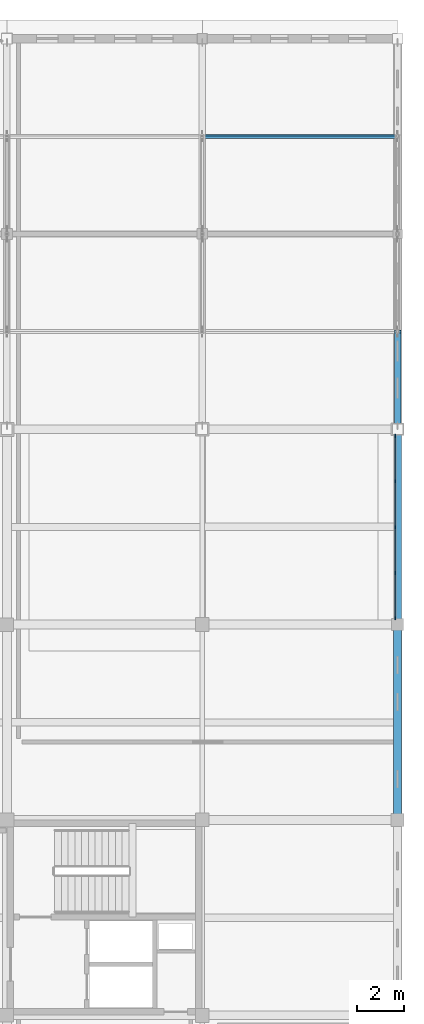
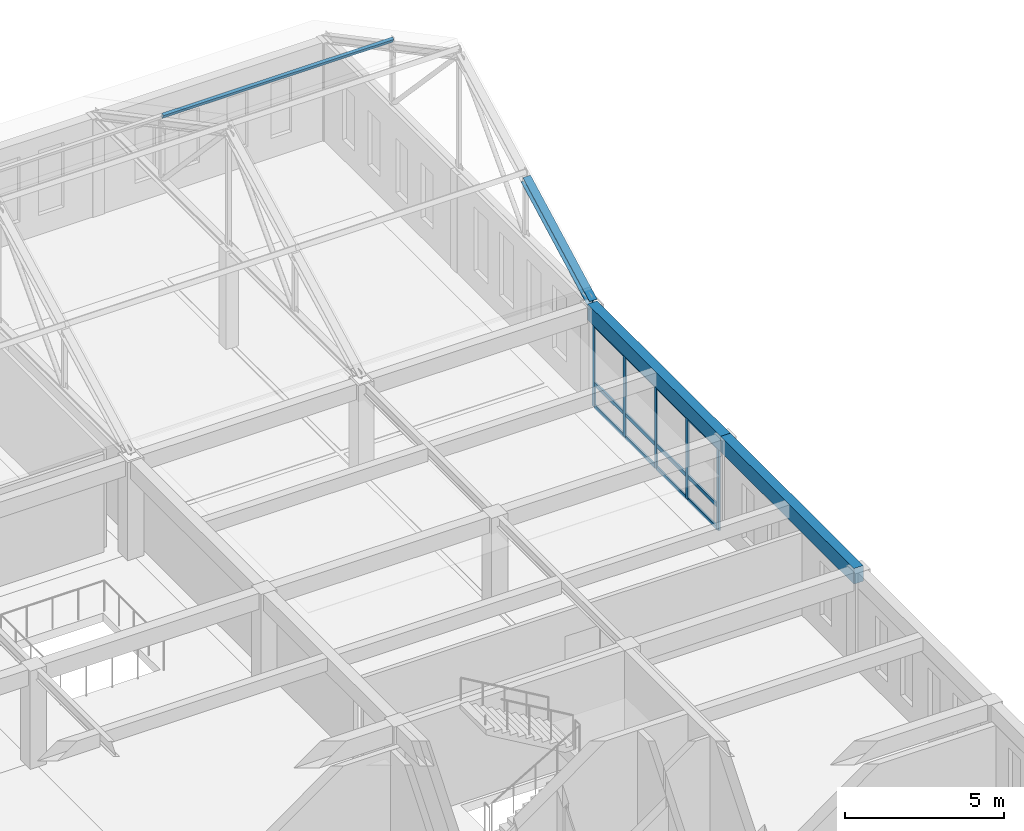
# One storey, part 27 of 56: 19 members, 2 beams, 1 element without a shape of its own.
"""IFC4 building model written with IfcOpenShell, lengths in metres."""

from ifc_helpers import new_model, si_unit, direction, frame, origin, origin_2d, place, context, subcontext, project, spatial, rectangle, hollow_rectangle, i_section, extrude, material, layer, layer_set, material_profile, profile_set, type_object, element, aggregate, save


model = new_model("IFC4")

# Units and contexts
model_context = context("Model", 3, precision=1e-05, world=origin(), true_north=direction((0.0, 1.0)))
body_context = subcontext(model_context, "Body", "Model", "MODEL_VIEW")
ifc_project = project(units=[si_unit("LENGTHUNIT", "METRE"), si_unit("AREAUNIT", "SQUARE_METRE"), si_unit("VOLUMEUNIT", "CUBIC_METRE"), si_unit("PLANEANGLEUNIT", "RADIAN"), si_unit("MASSUNIT", "GRAM", prefix="KILO")], contexts=[model_context])

# Site, building, storey
site_placement = place(None, origin())
site = spatial("IfcSite", under=ifc_project, at=site_placement, CompositionType="ELEMENT")
building_placement = place(site_placement, origin())
building = spatial("IfcBuilding", under=site, at=building_placement, Name="Kveldsbrygga Polytechnic", CompositionType="ELEMENT")
storey_placement = place(building_placement, frame((0.0, 0.0, 18.02001953125)))
storey = spatial("IfcBuildingStorey", under=building, at=storey_placement, Name="L04", CompositionType="ELEMENT", Elevation=18.02001953125)

# Beams
ifc_material_1 = material(Name="Concrete C35/45", Category="concrete")
ifc_material_profile_1 = material_profile(ifc_material_1, rectangle(XDim=0.35009765625, YDim=0.60009765625, at=origin_2d()), Name="RC 350x600")
ifc_profile_set_1 = profile_set([ifc_material_profile_1], Name="Concrete C35/45")
beam_type = type_object("IfcBeamType", Name="BM-SPANDREL-600", PredefinedType="T_BEAM", material=ifc_profile_set_1)
beam_1_placement = place(storey_placement, frame((168.0, 84.0, 3.47998046875), z_axis=(0.0, 1.0, 0.0), x_axis=(-1.0, 0.0, 0.0)))
element("IfcBeam", 1, at=beam_1_placement, inside=storey, type_object=beam_type, Name="Primary Beam BMY-L04-20-10to11", PredefinedType="T_BEAM", context=body_context, shape_type="SweptSolid", body=[
    extrude(rectangle(XDim=0.35009765625, YDim=0.60009765625, at=origin_2d()), origin(), (0.0, 0.0, 1.0), 8.39990234375),
])
beam_2_placement = place(storey_placement, frame((168.0, 92.39990234375, 3.47998046875), z_axis=(0.0, 1.0, 0.0), x_axis=(-1.0, 0.0, 0.0)))
element("IfcBeam", 2, at=beam_2_placement, inside=storey, type_object=beam_type, Name="Primary Beam BMY-L04-20-11to12", PredefinedType="T_BEAM", context=body_context, shape_type="SweptSolid", body=[
    extrude(rectangle(XDim=0.35009765625, YDim=0.60009765625, at=origin_2d()), origin(), (0.0, 0.0, 1.0), 8.400146484375),
])

# Curtain wall, members
ifc_material_2 = material(Name="Anodised aluminium AW-6060", Category="aluminium")
ifc_layer = layer(ifc_material_2, 0.199951171875)
ifc_layer_set = layer_set([ifc_layer], Name="Anodised aluminium AW-6060")
curtain_wall_type = type_object("IfcCurtainWallType", Name="CW-LANC-E", PredefinedType="USERDEFINED", material=ifc_layer_set)
curtain_wall_placement = place(storey_placement, origin())
curtain_wall = element("IfcCurtainWall", 3, at=curtain_wall_placement, inside=storey, type_object=curtain_wall_type, Name="Curtain Wall CW-L04-Y-20-11", ObjectType="UNITISED CURTAIN WALL", PredefinedType="USERDEFINED")
ifc_material_profile_2 = material_profile(ifc_material_2, rectangle(XDim=0.06005859375, YDim=0.139892578125, at=origin_2d()), Name="ALU 60x140")
ifc_profile_set_2 = profile_set([ifc_material_profile_2], Name="Anodised aluminium AW-6060")
member_type_1 = type_object("IfcMemberType", Name="CW-MUL-140", PredefinedType="MULLION", material=ifc_profile_set_2)
member_1_placement = place(storey_placement, frame((167.89990234375, 92.675048828125, 0.0), z_axis=(0.0, 0.0, 1.0), x_axis=(-1.0, 0.0, 0.0)))
member_1 = element("IfcMember", 4, at=member_1_placement, type_object=member_type_1, Name="CW-05 mullion 1", PredefinedType="MULLION", context=body_context, shape_type="SweptSolid", body=[
    extrude(rectangle(XDim=0.06005859375, YDim=0.139892578125, at=origin_2d()), origin(), (0.0, 0.0, 1.0), 3.179931640625),
])
member_2_placement = place(storey_placement, frame((167.89990234375, 94.61865234375, 0.0), z_axis=(0.0, 0.0, 1.0), x_axis=(-1.0, 0.0, 0.0)))
member_2 = element("IfcMember", 5, at=member_2_placement, type_object=member_type_1, Name="CW-05 mullion 2", PredefinedType="MULLION", context=body_context, shape_type="SweptSolid", body=[
    extrude(rectangle(XDim=0.06005859375, YDim=0.139892578125, at=origin_2d()), origin(), (0.0, 0.0, 1.0), 3.179931640625),
])
member_3_placement = place(storey_placement, frame((167.89990234375, 96.592529296875, 0.0), z_axis=(0.0, 0.0, 1.0), x_axis=(-1.0, 0.0, 0.0)))
member_3 = element("IfcMember", 6, at=member_3_placement, type_object=member_type_1, Name="CW-05 mullion 3", PredefinedType="MULLION", context=body_context, shape_type="SweptSolid", body=[
    extrude(rectangle(XDim=0.06005859375, YDim=0.139892578125, at=origin_2d()), origin(), (0.0, 0.0, 1.0), 3.179931640625),
])
member_4_placement = place(storey_placement, frame((167.89990234375, 98.566162109375, 0.0), z_axis=(0.0, 0.0, 1.0), x_axis=(-1.0, 0.0, 0.0)))
member_4 = element("IfcMember", 7, at=member_4_placement, type_object=member_type_1, Name="CW-05 mullion 4", PredefinedType="MULLION", context=body_context, shape_type="SweptSolid", body=[
    extrude(rectangle(XDim=0.06005859375, YDim=0.139892578125, at=origin_2d()), origin(), (0.0, 0.0, 1.0), 3.179931640625),
])
member_5_placement = place(storey_placement, frame((167.89990234375, 100.510009765625, 0.0), z_axis=(0.0, 0.0, 1.0), x_axis=(-1.0, 0.0, 0.0)))
member_5 = element("IfcMember", 8, at=member_5_placement, type_object=member_type_1, Name="CW-05 mullion 5", PredefinedType="MULLION", context=body_context, shape_type="SweptSolid", body=[
    extrude(rectangle(XDim=0.06005859375, YDim=0.139892578125, at=origin_2d()), origin(), (0.0, 0.0, 1.0), 3.179931640625),
])
ifc_material_profile_3 = material_profile(ifc_material_2, rectangle(XDim=0.06005859375, YDim=0.14990234375, at=origin_2d()), Name="ALU 60x150")
ifc_profile_set_3 = profile_set([ifc_material_profile_3], Name="Anodised aluminium AW-6060")
member_type_2 = type_object("IfcMemberType", Name="CW-TRN-150", PredefinedType="USERDEFINED", material=ifc_profile_set_3)
member_6_placement = place(storey_placement, frame((167.89990234375, 92.705078125, 0.030029296875), z_axis=(0.0, 1.0, 0.0), x_axis=(-1.0, 0.0, 0.0)))
member_6 = element("IfcMember", 9, at=member_6_placement, type_object=member_type_2, Name="CW-05 transom 1.1", ObjectType="TRANSOM", PredefinedType="USERDEFINED", context=body_context, shape_type="SweptSolid", body=[
    extrude(rectangle(XDim=0.06005859375, YDim=0.14990234375, at=origin_2d()), origin(), (0.0, 0.0, 1.0), 1.8837890625),
])
member_7_placement = place(storey_placement, frame((167.89990234375, 92.705078125, 0.89990234375), z_axis=(0.0, 1.0, 0.0), x_axis=(-1.0, 0.0, 0.0)))
member_7 = element("IfcMember", 10, at=member_7_placement, type_object=member_type_2, Name="CW-05 transom 1.2", ObjectType="TRANSOM", PredefinedType="USERDEFINED", context=body_context, shape_type="SweptSolid", body=[
    extrude(rectangle(XDim=0.06005859375, YDim=0.14990234375, at=origin_2d()), origin(), (0.0, 0.0, 1.0), 1.8837890625),
])
member_8_placement = place(storey_placement, frame((167.89990234375, 92.705078125, 3.14990234375), z_axis=(0.0, 1.0, 0.0), x_axis=(-1.0, 0.0, 0.0)))
member_8 = element("IfcMember", 11, at=member_8_placement, type_object=member_type_2, Name="CW-05 transom 1.3", ObjectType="TRANSOM", PredefinedType="USERDEFINED", context=body_context, shape_type="SweptSolid", body=[
    extrude(rectangle(XDim=0.06005859375, YDim=0.14990234375, at=origin_2d()), origin(), (0.0, 0.0, 1.0), 1.8837890625),
])
member_9_placement = place(storey_placement, frame((167.89990234375, 94.648681640625, 0.030029296875), z_axis=(0.0, 1.0, 0.0), x_axis=(-1.0, 0.0, 0.0)))
member_9 = element("IfcMember", 12, at=member_9_placement, type_object=member_type_2, Name="CW-05 transom 2.1", ObjectType="TRANSOM", PredefinedType="USERDEFINED", context=body_context, shape_type="SweptSolid", body=[
    extrude(rectangle(XDim=0.06005859375, YDim=0.14990234375, at=origin_2d()), origin(), (0.0, 0.0, 1.0), 1.913818359375),
])
member_10_placement = place(storey_placement, frame((167.89990234375, 94.648681640625, 0.89990234375), z_axis=(0.0, 1.0, 0.0), x_axis=(-1.0, 0.0, 0.0)))
member_10 = element("IfcMember", 13, at=member_10_placement, type_object=member_type_2, Name="CW-05 transom 2.2", ObjectType="TRANSOM", PredefinedType="USERDEFINED", context=body_context, shape_type="SweptSolid", body=[
    extrude(rectangle(XDim=0.06005859375, YDim=0.14990234375, at=origin_2d()), origin(), (0.0, 0.0, 1.0), 1.913818359375),
])
member_11_placement = place(storey_placement, frame((167.89990234375, 94.648681640625, 3.14990234375), z_axis=(0.0, 1.0, 0.0), x_axis=(-1.0, 0.0, 0.0)))
member_11 = element("IfcMember", 14, at=member_11_placement, type_object=member_type_2, Name="CW-05 transom 2.3", ObjectType="TRANSOM", PredefinedType="USERDEFINED", context=body_context, shape_type="SweptSolid", body=[
    extrude(rectangle(XDim=0.06005859375, YDim=0.14990234375, at=origin_2d()), origin(), (0.0, 0.0, 1.0), 1.913818359375),
])
member_12_placement = place(storey_placement, frame((167.89990234375, 96.62255859375, 0.030029296875), z_axis=(0.0, 1.0, 0.0), x_axis=(-1.0, 0.0, 0.0)))
member_12 = element("IfcMember", 15, at=member_12_placement, type_object=member_type_2, Name="CW-05 transom 3.1", ObjectType="TRANSOM", PredefinedType="USERDEFINED", context=body_context, shape_type="SweptSolid", body=[
    extrude(rectangle(XDim=0.06005859375, YDim=0.14990234375, at=origin_2d()), origin(), (0.0, 0.0, 1.0), 1.91357421875),
])
member_13_placement = place(storey_placement, frame((167.89990234375, 96.62255859375, 0.89990234375), z_axis=(0.0, 1.0, 0.0), x_axis=(-1.0, 0.0, 0.0)))
member_13 = element("IfcMember", 16, at=member_13_placement, type_object=member_type_2, Name="CW-05 transom 3.2", ObjectType="TRANSOM", PredefinedType="USERDEFINED", context=body_context, shape_type="SweptSolid", body=[
    extrude(rectangle(XDim=0.06005859375, YDim=0.14990234375, at=origin_2d()), origin(), (0.0, 0.0, 1.0), 1.91357421875),
])
member_14_placement = place(storey_placement, frame((167.89990234375, 96.62255859375, 3.14990234375), z_axis=(0.0, 1.0, 0.0), x_axis=(-1.0, 0.0, 0.0)))
member_14 = element("IfcMember", 17, at=member_14_placement, type_object=member_type_2, Name="CW-05 transom 3.3", ObjectType="TRANSOM", PredefinedType="USERDEFINED", context=body_context, shape_type="SweptSolid", body=[
    extrude(rectangle(XDim=0.06005859375, YDim=0.14990234375, at=origin_2d()), origin(), (0.0, 0.0, 1.0), 1.91357421875),
])
member_15_placement = place(storey_placement, frame((167.89990234375, 98.59619140625, 0.030029296875), z_axis=(0.0, 1.0, 0.0), x_axis=(-1.0, 0.0, 0.0)))
member_15 = element("IfcMember", 18, at=member_15_placement, type_object=member_type_2, Name="CW-05 transom 4.1", ObjectType="TRANSOM", PredefinedType="USERDEFINED", context=body_context, shape_type="SweptSolid", body=[
    extrude(rectangle(XDim=0.06005859375, YDim=0.14990234375, at=origin_2d()), origin(), (0.0, 0.0, 1.0), 1.8837890625),
])
member_16_placement = place(storey_placement, frame((167.89990234375, 98.59619140625, 0.89990234375), z_axis=(0.0, 1.0, 0.0), x_axis=(-1.0, 0.0, 0.0)))
member_16 = element("IfcMember", 19, at=member_16_placement, type_object=member_type_2, Name="CW-05 transom 4.2", ObjectType="TRANSOM", PredefinedType="USERDEFINED", context=body_context, shape_type="SweptSolid", body=[
    extrude(rectangle(XDim=0.06005859375, YDim=0.14990234375, at=origin_2d()), origin(), (0.0, 0.0, 1.0), 1.8837890625),
])
member_17_placement = place(storey_placement, frame((167.89990234375, 98.59619140625, 3.14990234375), z_axis=(0.0, 1.0, 0.0), x_axis=(-1.0, 0.0, 0.0)))
member_17 = element("IfcMember", 20, at=member_17_placement, type_object=member_type_2, Name="CW-05 transom 4.3", ObjectType="TRANSOM", PredefinedType="USERDEFINED", context=body_context, shape_type="SweptSolid", body=[
    extrude(rectangle(XDim=0.06005859375, YDim=0.14990234375, at=origin_2d()), origin(), (0.0, 0.0, 1.0), 1.8837890625),
])
aggregate(curtain_wall, [member_1, member_2, member_3, member_4, member_5, member_6, member_7, member_8, member_9, member_10, member_11, member_12, member_13, member_14, member_15, member_16, member_17])

# Members
ifc_material_3 = material(Name="Steel S355", Category="steel")
ifc_material_profile_4 = material_profile(ifc_material_3, hollow_rectangle(XDim=0.10009765625, YDim=0.179931640625, WallThickness=0.008056640625, at=origin_2d()), Name="RHS 180x100x8.0")
ifc_profile_set_4 = profile_set([ifc_material_profile_4], Name="Steel S355")
member_type_3 = type_object("IfcMemberType", Name="PRL-RHS180", PredefinedType="PURLIN", material=ifc_profile_set_4)
member_18_placement = place(storey_placement, frame((159.60009765625, 113.39990234375, 6.265380859375), z_axis=(1.0, 0.0, 0.0), x_axis=(0.0, 0.883660254474, 0.468128779998)))
element("IfcMember", 21, at=member_18_placement, inside=storey, type_object=member_type_3, Name="Roof Purlin V4N5-PRL-5-3", PredefinedType="PURLIN", context=body_context, shape_type="SweptSolid", body=[
    extrude(hollow_rectangle(XDim=0.10009765625, YDim=0.179931640625, WallThickness=0.008056640625, at=origin_2d()), origin(), (0.0, 0.0, 1.0), 8.39990234375),
])
ifc_material_profile_5 = material_profile(ifc_material_3, i_section(OverallWidth=0.280029296875, OverallDepth=0.280029296875, WebThickness=0.010498046875, FlangeThickness=0.01806640625, FilletRadius=0.02392578125, at=origin_2d()), Name="HEB 280")
ifc_profile_set_5 = profile_set([ifc_material_profile_5], Name="Steel S355")
member_type_4 = type_object("IfcMemberType", Name="TR-TOP-HEB280", PredefinedType="CHORD", material=ifc_profile_set_5)
member_19_placement = place(storey_placement, frame((168.0, 100.800048828125, 3.780029296875), z_axis=(0.0, 0.883670438028, 0.468109556574), x_axis=(-1.0, 0.0, 0.0)))
element("IfcMember", 22, at=member_19_placement, inside=storey, type_object=member_type_4, Name="Truss Top Chord V4N5-T06-TC-1", PredefinedType="CHORD", context=body_context, shape_type="SweptSolid", body=[
    extrude(i_section(OverallWidth=0.280029296875, OverallDepth=0.280029296875, WebThickness=0.010498046875, FlangeThickness=0.01806640625, FilletRadius=0.02392578125, at=origin_2d()), origin(), (0.0, 0.0, 1.0), 4.7529296875),
])

save(model, "model.ifc")
